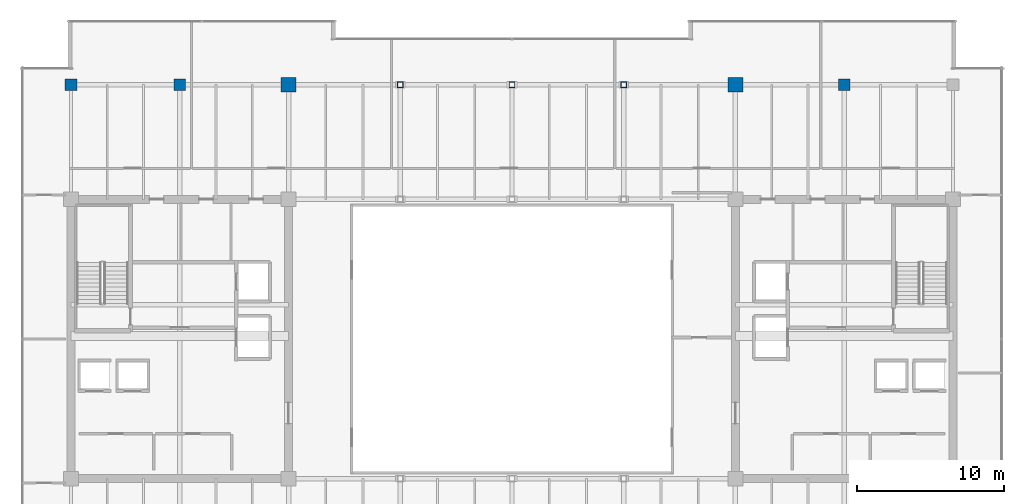
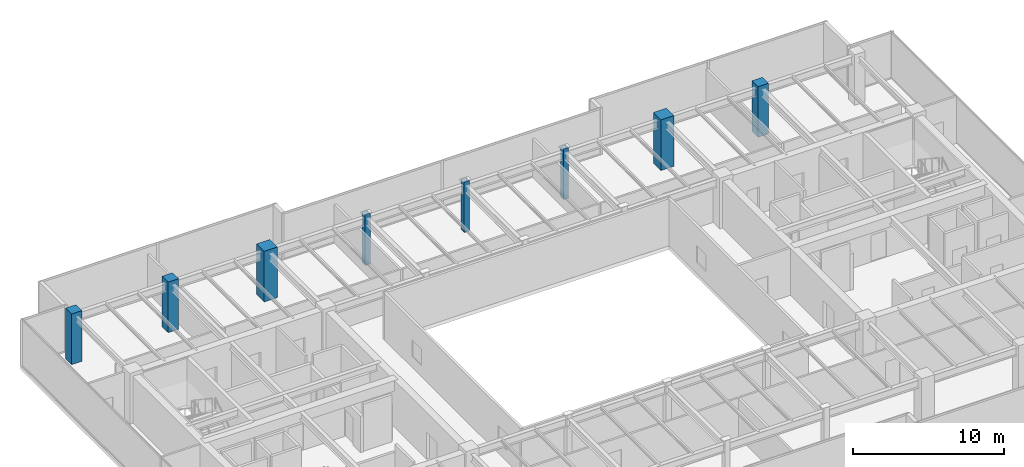
# One storey, part 3 of 33: 8 columns.
"""IFC4 building model written with IfcOpenShell, lengths in metres."""

from ifc_helpers import new_model, si_unit, direction, frame, origin, origin_2d, place, context, subcontext, project, spatial, rectangle, hollow_rectangle, extrude, source, transform, mapped, material, material_profile, profile_set, type_object, type_shapes, element, save


model = new_model("IFC4")

# Units and contexts
model_context = context("Model", 3, precision=1e-05, world=origin(), true_north=direction((0.0, 1.0)))
body_context = subcontext(model_context, "Body", "Model", "MODEL_VIEW")
ifc_project = project(units=[si_unit("LENGTHUNIT", "METRE"), si_unit("AREAUNIT", "SQUARE_METRE"), si_unit("VOLUMEUNIT", "CUBIC_METRE"), si_unit("PLANEANGLEUNIT", "RADIAN"), si_unit("MASSUNIT", "GRAM", prefix="KILO")], contexts=[model_context])

# Site, building, storey
site_placement = place(None, origin())
site = spatial("IfcSite", under=ifc_project, at=site_placement, CompositionType="ELEMENT")
building_placement = place(site_placement, origin())
building = spatial("IfcBuilding", under=site, at=building_placement, Name="Haelvirn Gate Laboratories", CompositionType="ELEMENT")
storey_placement = place(building_placement, frame((0.0, 0.0, 287.5)))
storey = spatial("IfcBuildingStorey", under=building, at=storey_placement, Name="L69", CompositionType="ELEMENT", Elevation=287.5)

# Columns
ifc_material_1 = material(Name="Concrete C60/75", Category="concrete")
ifc_material_profile_1 = material_profile(ifc_material_1, rectangle(XDim=1.0, YDim=1.0, at=origin_2d()), Name="RC-1000x1000")
ifc_profile_set_1 = profile_set([ifc_material_profile_1], Name="Concrete C60/75")
column_type_1 = type_object("IfcColumnType", Name="COL-RC-1000", PredefinedType="COLUMN", material=ifc_profile_set_1)
shared_shape_1 = source(origin(), body_context, "Body", "SweptSolid", [
    extrude(rectangle(XDim=1.0, YDim=1.0, at=origin_2d()), origin(), (0.0, 0.0, 1.0), 4.10009765625),
])
type_shapes(column_type_1, [shared_shape_1])
for number, where, z_axis, x_axis, name in (
    (1, (22.199951171875, 41.60009765625, 0.0), (0.0, 0.0, 1.0), (1.0, 0.0, 0.0), "L69 Column 4G"),
    (2, (52.60009765625, 41.60009765625, 0.0), (0.0, 0.0, 1.0), (1.0, 0.0, 0.0), "L69 Column 8G"),
):
    element("IfcColumn", number, at=place(storey_placement, frame(where, z_axis=z_axis, x_axis=x_axis)), inside=storey, type_object=column_type_1, Name=name, PredefinedType="COLUMN", context=body_context, shape_type="MappedRepresentation", body=[
        mapped(shared_shape_1, transform((0.0, 0.0, 0.0), scale=1.0)),
    ])
ifc_material_2 = material(Name="Concrete C50/60", Category="concrete")
ifc_material_profile_2 = material_profile(ifc_material_2, rectangle(XDim=0.800048828125, YDim=0.800048828125, at=origin_2d()), Name="RC-800x800")
ifc_profile_set_2 = profile_set([ifc_material_profile_2], Name="Concrete C50/60")
column_type_2 = type_object("IfcColumnType", Name="COL-RC-800", PredefinedType="COLUMN", material=ifc_profile_set_2)
shared_shape_2 = source(origin(), body_context, "Body", "SweptSolid", [
    extrude(rectangle(XDim=0.800048828125, YDim=0.800048828125, at=origin_2d()), origin(), (0.0, 0.0, 1.0), 4.10009765625),
])
type_shapes(column_type_2, [shared_shape_2])
for number, where, z_axis, x_axis, name in (
    (3, (14.800048828125, 41.60009765625, 0.0), (0.0, 0.0, 1.0), (1.0, 0.0, 0.0), "L69 Column 3G"),
    (4, (60.0, 41.60009765625, 0.0), (0.0, 0.0, 1.0), (1.0, 0.0, 0.0), "L69 Column 9G"),
    (5, (7.39990234375, 41.60009765625, 0.0), (0.0, 0.0, 1.0), (1.0, 0.0, 0.0), "L69 Column 2G"),
):
    element("IfcColumn", number, at=place(storey_placement, frame(where, z_axis=z_axis, x_axis=x_axis)), inside=storey, type_object=column_type_2, Name=name, PredefinedType="COLUMN", context=body_context, shape_type="MappedRepresentation", body=[
        mapped(shared_shape_2, transform((0.0, 0.0, 0.0), scale=1.0)),
    ])
ifc_material_3 = material(Name="Steel SM355", Category="steel")
ifc_material_profile_3 = material_profile(ifc_material_3, hollow_rectangle(XDim=0.39990234375, YDim=0.39990234375, WallThickness=0.01904296875, at=origin_2d()), Name="BOX-400x400x19")
ifc_profile_set_3 = profile_set([ifc_material_profile_3], Name="Steel SM355")
column_type_3 = type_object("IfcColumnType", Name="COL-BOX-400", PredefinedType="COLUMN", material=ifc_profile_set_3)
shared_shape_3 = source(origin(), body_context, "Body", "SweptSolid", [
    extrude(hollow_rectangle(XDim=0.39990234375, YDim=0.39990234375, WallThickness=0.01904296875, at=origin_2d()), origin(), (0.0, 0.0, 1.0), 4.10009765625),
])
type_shapes(column_type_3, [shared_shape_3])
for number, where, z_axis, x_axis, name in (
    (6, (29.800048828125, 41.60009765625, 0.0), (0.0, 0.0, 1.0), (1.0, 0.0, 0.0), "L69 Column 5G"),
    (7, (37.39990234375, 41.60009765625, 0.0), (0.0, 0.0, 1.0), (1.0, 0.0, 0.0), "L69 Column 6G"),
    (8, (45.0, 41.60009765625, 0.0), (0.0, 0.0, 1.0), (1.0, 0.0, 0.0), "L69 Column 7G"),
):
    element("IfcColumn", number, at=place(storey_placement, frame(where, z_axis=z_axis, x_axis=x_axis)), inside=storey, type_object=column_type_3, Name=name, PredefinedType="COLUMN", context=body_context, shape_type="MappedRepresentation", body=[
        mapped(shared_shape_3, transform((0.0, 0.0, 0.0), scale=1.0)),
    ])

save(model, "model.ifc")
